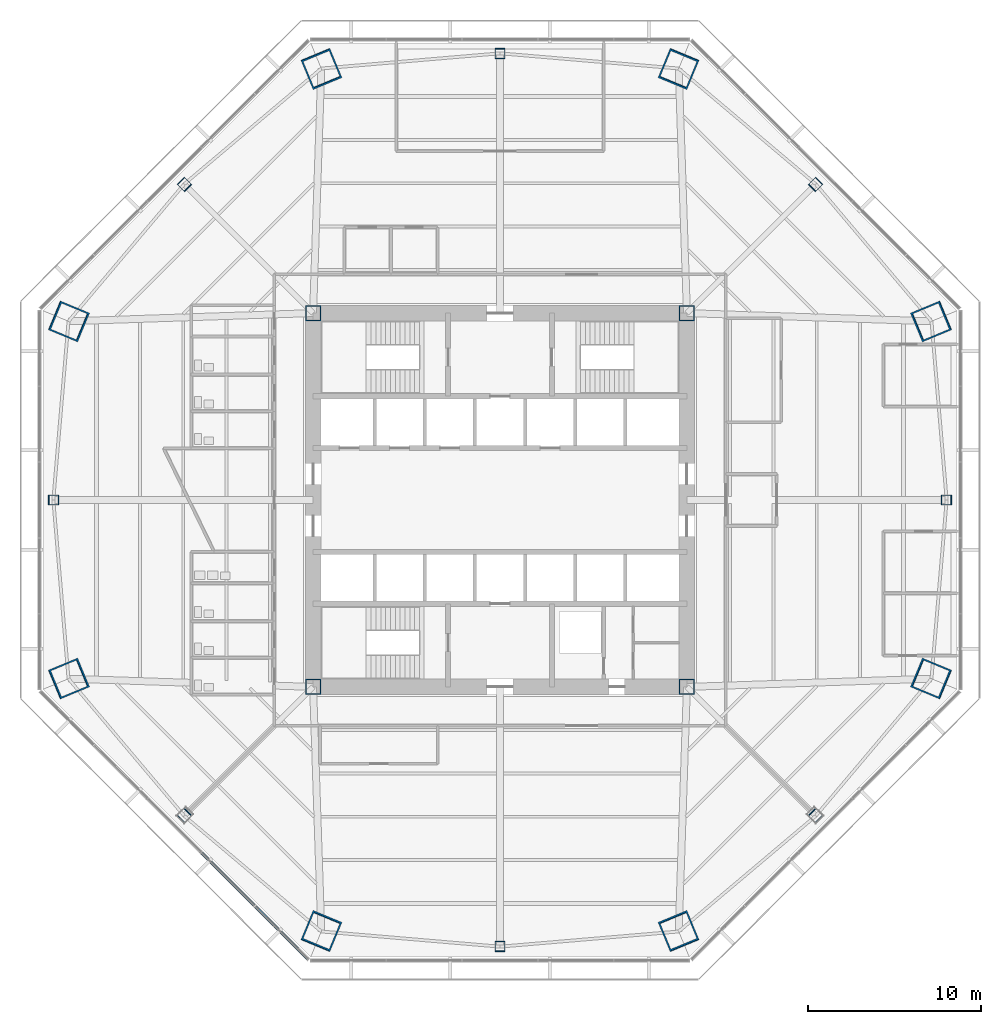
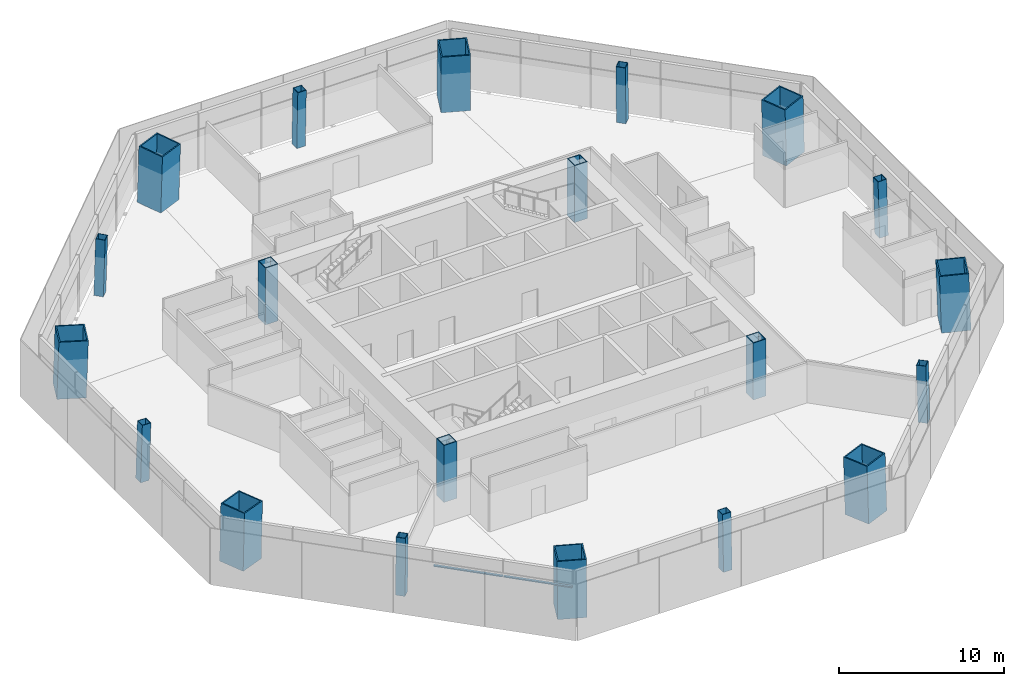
# One storey, part 1 of 13: 20 columns, 2 members, 1 element without a shape of its own.
"""IFC4 building model written with IfcOpenShell, lengths in metres."""

from ifc_helpers import new_model, si_unit, direction, frame, origin, origin_2d, place, context, subcontext, project, spatial, rectangle, hollow_rectangle, extrude, source, transform, mapped, material, material_profile, profile_set, type_object, type_shapes, element, aggregate, save


model = new_model("IFC4")

# Units and contexts
model_context = context("Model", 3, precision=1e-05, world=origin(), true_north=direction((0.0, 1.0)))
body_context = subcontext(model_context, "Body", "Model", "MODEL_VIEW")
ifc_project = project(units=[si_unit("LENGTHUNIT", "METRE"), si_unit("AREAUNIT", "SQUARE_METRE"), si_unit("VOLUMEUNIT", "CUBIC_METRE"), si_unit("PLANEANGLEUNIT", "RADIAN"), si_unit("MASSUNIT", "GRAM", prefix="KILO")], contexts=[model_context])

# Site, building, storey
site_placement = place(None, origin())
site = spatial("IfcSite", under=ifc_project, at=site_placement, CompositionType="ELEMENT")
building_placement = place(site_placement, origin())
building = spatial("IfcBuilding", under=site, at=building_placement, Name="Mashrafa Tower", CompositionType="ELEMENT")
storey_placement = place(building_placement, frame((0.0, 0.0, 49.800048828125)))
storey = spatial("IfcBuildingStorey", under=building, at=storey_placement, Name="L10", CompositionType="ELEMENT", Elevation=49.800048828125)

# Columns
ifc_material_1 = material(Name="Steel ASTM A572 Gr 50", Category="steel")
ifc_material_profile_1 = material_profile(ifc_material_1, hollow_rectangle(XDim=0.89990234375, YDim=0.89990234375, WallThickness=0.06005859375, at=origin_2d()), Name="BOX900X900X60")
ifc_profile_set_1 = profile_set([ifc_material_profile_1], Name="Steel ASTM A572 Gr 50")
column_type_1 = type_object("IfcColumnType", Name="Core corner column BOX900X900X60", PredefinedType="COLUMN", material=ifc_profile_set_1)
for number, where, z_axis, x_axis, name in (
    (1, (10.800048828125, 10.800048828125, 0.0), (0.0, 0.0, 1.0), (1.0, 0.0, 0.0), "Core corner column CC-NE L10"),
    (2, (-10.800048828125, 10.800048828125, 0.0), (0.0, 0.0, 1.0), (1.0, 0.0, 0.0), "Core corner column CC-NW L10"),
    (3, (-10.800048828125, -10.800048828125, 0.0), (0.0, 0.0, 1.0), (1.0, 0.0, 0.0), "Core corner column CC-SW L10"),
    (4, (10.800048828125, -10.800048828125, 0.0), (0.0, 0.0, 1.0), (1.0, 0.0, 0.0), "Core corner column CC-SE L10"),
):
    element("IfcColumn", number, at=place(storey_placement, frame(where, z_axis=z_axis, x_axis=x_axis)), inside=storey, type_object=column_type_1, Name=name, PredefinedType="COLUMN", context=body_context, shape_type="SweptSolid", body=[
        extrude(hollow_rectangle(XDim=0.89990234375, YDim=0.89990234375, WallThickness=0.06005859375, at=origin_2d()), origin(), (0.0, 0.0, 1.0), 4.199951171875),
    ])
ifc_material_2 = material(Name="Steel ASTM A572 Gr 50", Category="steel")
ifc_material_profile_2 = material_profile(ifc_material_2, hollow_rectangle(XDim=1.800048828125, YDim=1.800048828125, WallThickness=0.0849609375, at=origin_2d()), Name="BOX1800X1800X85")
ifc_profile_set_2 = profile_set([ifc_material_profile_2], Name="Steel ASTM A572 Gr 50")
column_type_2 = type_object("IfcColumnType", Name="Mega column CFST BOX1800X1800X85", PredefinedType="COLUMN", material=ifc_profile_set_2)
for number, where, z_axis, x_axis, name in (
    (5, (24.927734375, 10.325439453125, 0.0), (-0.028295730207, -0.011736627314, 0.99953069149), (0.383133442967, -0.923693003589, 0.0), "Mega column MC1 L10"),
    (6, (10.325439453125, 24.927734375, 0.0), (-0.011736627314, -0.028295730207, 0.99953069149), (0.923693003589, -0.383133442967, 0.0), "Mega column MC2 L10"),
    (7, (-10.325439453125, 24.927734375, 0.0), (0.011736627314, -0.028295730207, 0.99953069149), (0.923693003589, 0.383133442967, 0.0), "Mega column MC3 L10"),
    (8, (-24.927734375, 10.325439453125, 0.0), (0.028295730207, -0.011736627314, 0.99953069149), (0.383133442967, 0.923693003589, 0.0), "Mega column MC4 L10"),
    (9, (-24.927734375, -10.325439453125, 0.0), (0.028295730207, 0.011736627314, 0.99953069149), (-0.383133442967, 0.923693003589, 0.0), "Mega column MC5 L10"),
    (10, (-10.325439453125, -24.927734375, 0.0), (0.011736627314, 0.028295730207, 0.99953069149), (-0.923693003589, 0.383133442967, 0.0), "Mega column MC6 L10"),
    (11, (10.325439453125, -24.927734375, 0.0), (-0.011736627314, 0.028295730207, 0.99953069149), (-0.923693003589, -0.383133442967, 0.0), "Mega column MC7 L10"),
    (12, (24.927734375, -10.325439453125, 0.0), (-0.028295730207, 0.011736627314, 0.99953069149), (-0.383133442967, -0.923693003589, 0.0), "Mega column MC8 L10"),
):
    element("IfcColumn", number, at=place(storey_placement, frame(where, z_axis=z_axis, x_axis=x_axis)), inside=storey, type_object=column_type_2, Name=name, PredefinedType="COLUMN", context=body_context, shape_type="SweptSolid", body=[
        extrude(hollow_rectangle(XDim=1.800048828125, YDim=1.800048828125, WallThickness=0.0849609375, at=origin_2d()), origin(), (0.0, 0.0, 1.0), 4.201904296875),
    ])
ifc_material_3 = material(Name="Steel ASTM A572 Gr 50", Category="steel")
ifc_material_profile_3 = material_profile(ifc_material_3, hollow_rectangle(XDim=0.60009765625, YDim=0.60009765625, WallThickness=0.031982421875, at=origin_2d()), Name="BOX600X600X32")
ifc_profile_set_3 = profile_set([ifc_material_profile_3], Name="Steel ASTM A572 Gr 50")
column_type_3 = type_object("IfcColumnType", Name="Secondary column BOX600X600X32", PredefinedType="COLUMN", material=ifc_profile_set_3)
for number, where, z_axis, x_axis, name in (
    (13, (25.805908203125, 0.0, 0.0), (-0.028297679255, 0.0, 0.99959954049), (0.0, -1.0, 0.0), "Secondary column SC1 L10"),
    (14, (18.24755859375, 18.24755859375, 0.0), (-0.019988521213, -0.019988521213, 0.999600379171), (0.707106781187, -0.707106781187, 0.0), "Secondary column SC2 L10"),
    (15, (0.0, 25.805908203125, 0.0), (0.0, -0.028297679255, 0.99959954049), (1.0, 0.0, 0.0), "Secondary column SC3 L10"),
    (16, (-18.24755859375, 18.24755859375, 0.0), (0.019988521213, -0.019988521213, 0.999600379171), (0.707106781187, 0.707106781187, 0.0), "Secondary column SC4 L10"),
    (17, (-25.805908203125, 0.0, 0.0), (0.028297679255, 0.0, 0.99959954049), (0.0, 1.0, 0.0), "Secondary column SC5 L10"),
    (18, (-18.24755859375, -18.24755859375, 0.0), (0.019988521213, 0.019988521213, 0.999600379171), (-0.707106781187, 0.707106781187, 0.0), "Secondary column SC6 L10"),
    (19, (0.0, -25.805908203125, 0.0), (0.0, 0.028297679255, 0.99959954049), (-1.0, 0.0, 0.0), "Secondary column SC7 L10"),
    (20, (18.24755859375, -18.24755859375, 0.0), (-0.019988521213, 0.019988521213, 0.999600379171), (-0.707106781187, -0.707106781187, 0.0), "Secondary column SC8 L10"),
):
    element("IfcColumn", number, at=place(storey_placement, frame(where, z_axis=z_axis, x_axis=x_axis)), inside=storey, type_object=column_type_3, Name=name, PredefinedType="COLUMN", context=body_context, shape_type="SweptSolid", body=[
        extrude(hollow_rectangle(XDim=0.60009765625, YDim=0.60009765625, WallThickness=0.031982421875, at=origin_2d()), origin(), (0.0, 0.0, 1.0), 4.20166015625),
    ])

# Curtain wall, members
ifc_material_4 = material(Name="Unitised aluminium curtain wall", Category="aluminium")
curtain_wall_type = type_object("IfcCurtainWallType", Name="Office curtain wall, zone 1 CW-A 200 deep", PredefinedType="NOTDEFINED", material=ifc_material_4)
curtain_wall_placement = place(storey_placement, origin())
curtain_wall = element("IfcCurtainWall", 21, at=curtain_wall_placement, inside=storey, type_object=curtain_wall_type, Name="Office curtain wall, zone 1 L10 south-west", PredefinedType="NOTDEFINED")
ifc_material_5 = material(Name="Extruded aluminium transom", Category="aluminium")
ifc_material_profile_4 = material_profile(ifc_material_5, rectangle(XDim=0.159912109375, YDim=0.080078125, at=origin_2d()), Name="Transom 80x160")
ifc_profile_set_4 = profile_set([ifc_material_profile_4], Name="Extruded aluminium transom")
member_type = type_object("IfcMemberType", Name="Transom CW-A 80 x 160", PredefinedType="MULLION", material=ifc_profile_set_4)
shared_shape_1 = source(origin(), body_context, "Body", "SweptSolid", [
    extrude(rectangle(XDim=0.159912109375, YDim=0.080078125, at=origin_2d()), origin(), (0.0, 0.0, 1.0), 4.32275390625),
])
member_1_placement = place(storey_placement, frame((-17.239013671875, -20.387451171875, 3.0), z_axis=(0.707106781187, -0.707106781187, 0.0), x_axis=(0.707106781187, 0.707106781187, 0.0)))
member_1 = element("IfcMember", 22, at=member_1_placement, type_object=member_type, Name="CW-A transom 4", PredefinedType="MULLION", context=body_context, shape_type="MappedRepresentation", body=[
    mapped(shared_shape_1, transform((0.0, 0.0, 0.0))),
])
shared_shape_2 = source(origin(), body_context, "Body", "SweptSolid", [
    extrude(rectangle(XDim=0.159912109375, YDim=0.080078125, at=origin_2d()), origin(), (0.0, 0.0, 1.0), 4.290283203125),
])
type_shapes(member_type, [shared_shape_1, shared_shape_2])
member_2_placement = place(storey_placement, frame((-14.136474609375, -23.489990234375, 3.0), z_axis=(0.707106781187, -0.707106781187, 0.0), x_axis=(0.707106781187, 0.707106781187, 0.0)))
member_2 = element("IfcMember", 23, at=member_2_placement, type_object=member_type, Name="CW-A transom 5", PredefinedType="MULLION", context=body_context, shape_type="MappedRepresentation", body=[
    mapped(shared_shape_2, transform((0.0, 0.0, 0.0))),
])
aggregate(curtain_wall, [member_1, member_2])

save(model, "model.ifc")
